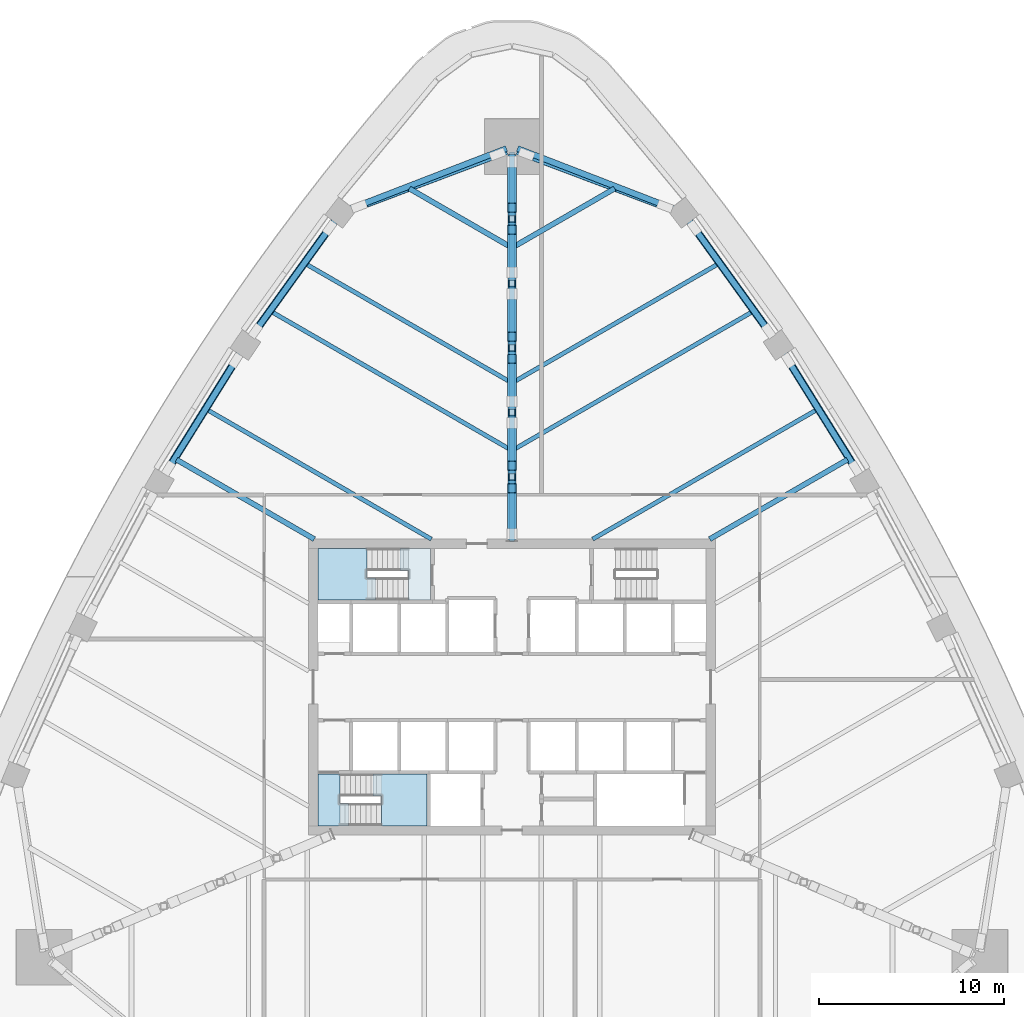
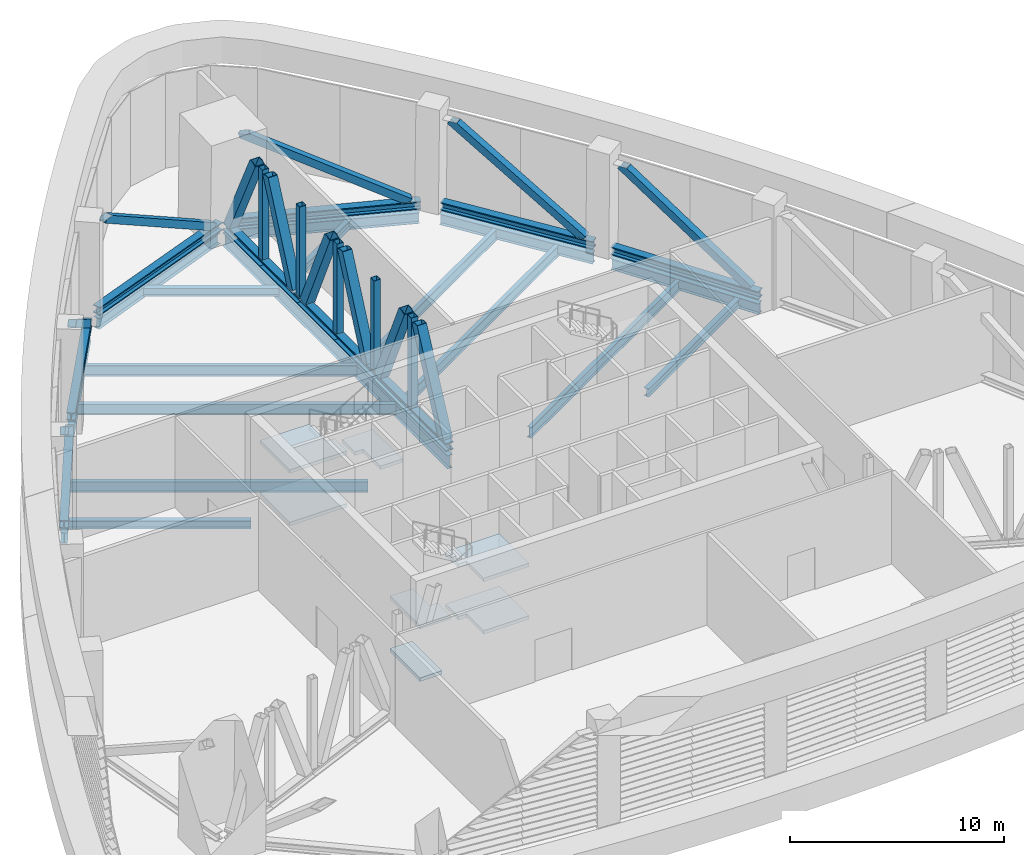
# One storey, part 4 of 18: 29 beams, 17 members, 7 slabs, 2 elements without a shape of their own.
"""IFC4 building model written with IfcOpenShell, lengths in metres."""

from ifc_helpers import new_model, si_unit, direction, frame, origin, origin_2d, place, context, subcontext, project, spatial, polyline, hollow_rectangle, i_section, outline, extrude, clip, halfspace, material, layer, layer_set, material_profile, profile_set, type_object, element, aggregate, save


model = new_model("IFC4")

# Units and contexts
model_context = context("Model", 3, precision=1e-05, world=origin(), true_north=direction((0.0, 1.0)))
body_context = subcontext(model_context, "Body", "Model", "MODEL_VIEW")
ifc_project = project(units=[si_unit("LENGTHUNIT", "METRE"), si_unit("AREAUNIT", "SQUARE_METRE"), si_unit("VOLUMEUNIT", "CUBIC_METRE"), si_unit("PLANEANGLEUNIT", "RADIAN"), si_unit("MASSUNIT", "GRAM", prefix="KILO")], contexts=[model_context])

# Site, building, storey
site_placement = place(None, origin())
site = spatial("IfcSite", under=ifc_project, at=site_placement, CompositionType="ELEMENT")
building_placement = place(site_placement, origin())
building = spatial("IfcBuilding", under=site, at=building_placement, Name="Sierra Prisma Convention Tower", CompositionType="ELEMENT")
storey_placement = place(building_placement, frame((0.0, 0.0, 112.60009765625)))
storey = spatial("IfcBuildingStorey", under=building, at=storey_placement, Name="L24", CompositionType="ELEMENT", Elevation=112.60009765625)

# Beams
ifc_material_1 = material(Name="Steel ASTM A992 Gr 50", Category="steel")
ifc_material_profile_1 = material_profile(ifc_material_1, i_section(OverallWidth=0.280029296875, OverallDepth=0.462890625, WebThickness=0.0107421875, FlangeThickness=0.017333984375, at=origin_2d()), Name="W460x113")
ifc_profile_set_1 = profile_set([ifc_material_profile_1], Name="Steel ASTM A992 Gr 50")
beam_type_1 = type_object("IfcBeamType", Name="Plant floor joist W460x113", PredefinedType="JOIST", material=ifc_profile_set_1)
beam_1_placement = place(storey_placement, frame((18.1416015625, 12.301513671875, -0.481689453125), z_axis=(-0.866025381234, -0.500000039059, 0.0), x_axis=(0.500000039059, -0.866025381234, 0.0)))
element("IfcBeam", 1, at=beam_1_placement, inside=storey, type_object=beam_type_1, Name="Floor joist L24 NE09", PredefinedType="JOIST", context=body_context, shape_type="SweptSolid", body=[
    extrude(i_section(OverallWidth=0.280029296875, OverallDepth=0.462890625, WebThickness=0.0107421875, FlangeThickness=0.017333984375, at=origin_2d()), origin(), (0.0, 0.0, 1.0), 8.60302734375),
])
for number, where, z_axis, x_axis, name in (
    (2, (5.55126953125, 26.961181640625, -0.481689453125), (-0.866017168305, -0.500014263997, 0.0), (0.500014263997, -0.866017168305, 0.0), "Floor joist L24 NE15"),
    (3, (-5.55126953125, 26.961181640625, -0.481689453125), (0.866017168305, -0.500014263997, 0.0), (0.500014263997, 0.866017168305, 0.0), "Floor joist L24 NW02"),
):
    element("IfcBeam", number, at=place(storey_placement, frame(where, z_axis=z_axis, x_axis=x_axis)), inside=storey, type_object=beam_type_1, Name=name, PredefinedType="JOIST", context=body_context, shape_type="SweptSolid", body=[
        extrude(i_section(OverallWidth=0.280029296875, OverallDepth=0.462890625, WebThickness=0.0107421875, FlangeThickness=0.017333984375, at=origin_2d()), origin(), (0.0, 0.0, 1.0), 6.348876953125),
    ])
beam_2_placement = place(storey_placement, frame((-18.1416015625, 12.301513671875, -0.481689453125), z_axis=(0.866025381234, -0.500000039059, 0.0), x_axis=(0.500000039059, 0.866025381234, 0.0)))
element("IfcBeam", 4, at=beam_2_placement, inside=storey, type_object=beam_type_1, Name="Floor joist L24 NW08", PredefinedType="JOIST", context=body_context, shape_type="SweptSolid", body=[
    extrude(i_section(OverallWidth=0.280029296875, OverallDepth=0.462890625, WebThickness=0.0107421875, FlangeThickness=0.017333984375, at=origin_2d()), origin(), (0.0, 0.0, 1.0), 8.60302734375),
])
ifc_material_2 = material(Name="Steel ASTM A992 Gr 50", Category="steel")
ifc_material_profile_2 = material_profile(ifc_material_2, i_section(OverallWidth=0.22900390625, OverallDepth=0.612060546875, WebThickness=0.011962890625, FlangeThickness=0.01953125, at=origin_2d()), Name="W610x125")
ifc_profile_set_2 = profile_set([ifc_material_profile_2], Name="Steel ASTM A992 Gr 50")
beam_type_2 = type_object("IfcBeamType", Name="Plant floor joist W610x125", PredefinedType="JOIST", material=ifc_profile_set_2)
beam_3_placement = place(storey_placement, frame((16.467529296875, 14.98974609375, -0.55615234375), z_axis=(-0.866022720283, -0.500004647933, 0.0), x_axis=(0.500004647933, -0.866022720283, 0.0)))
element("IfcBeam", 5, at=beam_3_placement, inside=storey, type_object=beam_type_2, Name="Floor joist L24 NE10", PredefinedType="JOIST", context=body_context, shape_type="SweptSolid", body=[
    extrude(i_section(OverallWidth=0.22900390625, OverallDepth=0.612060546875, WebThickness=0.011962890625, FlangeThickness=0.01953125, at=origin_2d()), origin(), (0.0, 0.0, 1.0), 13.979248046875),
])
beam_4_placement = place(storey_placement, frame((12.9873046875, 20.289794921875, -0.55615234375), z_axis=(-0.866028517593, -0.499994606686, 0.0), x_axis=(0.499994606686, -0.866028517593, 0.0)))
element("IfcBeam", 6, at=beam_4_placement, inside=storey, type_object=beam_type_2, Name="Floor joist L24 NE12", PredefinedType="JOIST", context=body_context, shape_type="SweptSolid", body=[
    extrude(i_section(OverallWidth=0.22900390625, OverallDepth=0.612060546875, WebThickness=0.011962890625, FlangeThickness=0.01953125, at=origin_2d()), origin(), (0.0, 0.0, 1.0), 14.935302734375),
])
for number, where, z_axis, x_axis, name in (
    (7, (11.129150390625, 22.8720703125, -0.55615234375), (-0.86601901445, -0.500011066489, 0.0), (0.500011066489, -0.86601901445, 0.0), "Floor joist L24 NE13"),
    (8, (-11.129150390625, 22.8720703125, -0.55615234375), (0.86601901445, -0.500011066489, 0.0), (0.500011066489, 0.86601901445, 0.0), "Floor joist L24 NW04"),
):
    element("IfcBeam", number, at=place(storey_placement, frame(where, z_axis=z_axis, x_axis=x_axis)), inside=storey, type_object=beam_type_2, Name=name, PredefinedType="JOIST", context=body_context, shape_type="SweptSolid", body=[
        extrude(i_section(OverallWidth=0.22900390625, OverallDepth=0.612060546875, WebThickness=0.011962890625, FlangeThickness=0.01953125, at=origin_2d()), origin(), (0.0, 0.0, 1.0), 12.789794921875),
    ])
beam_5_placement = place(storey_placement, frame((-12.9873046875, 20.289794921875, -0.55615234375), z_axis=(0.866028517593, -0.499994606686, 0.0), x_axis=(0.499994606686, 0.866028517593, 0.0)))
element("IfcBeam", 9, at=beam_5_placement, inside=storey, type_object=beam_type_2, Name="Floor joist L24 NW05", PredefinedType="JOIST", context=body_context, shape_type="SweptSolid", body=[
    extrude(i_section(OverallWidth=0.22900390625, OverallDepth=0.612060546875, WebThickness=0.011962890625, FlangeThickness=0.01953125, at=origin_2d()), origin(), (0.0, 0.0, 1.0), 14.935302734375),
])
beam_6_placement = place(storey_placement, frame((-16.467529296875, 14.98974609375, -0.55615234375), z_axis=(0.866022720283, -0.500004647933, 0.0), x_axis=(0.500004647933, 0.866022720283, 0.0)))
element("IfcBeam", 10, at=beam_6_placement, inside=storey, type_object=beam_type_2, Name="Floor joist L24 NW07", PredefinedType="JOIST", context=body_context, shape_type="SweptSolid", body=[
    extrude(i_section(OverallWidth=0.22900390625, OverallDepth=0.612060546875, WebThickness=0.011962890625, FlangeThickness=0.01953125, at=origin_2d()), origin(), (0.0, 0.0, 1.0), 13.979248046875),
])
ifc_material_3 = material(Name="Steel ASTM A992 Gr 50", Category="steel")
ifc_material_profile_3 = material_profile(ifc_material_3, i_section(OverallWidth=0.264892578125, OverallDepth=0.7529296875, WebThickness=0.01318359375, FlangeThickness=0.01708984375, at=origin_2d()), Name="W760x147")
ifc_profile_set_3 = profile_set([ifc_material_profile_3], Name="Steel ASTM A992 Gr 50")
beam_type_3 = type_object("IfcBeamType", Name="Radial girder W760x147", PredefinedType="BEAM", material=ifc_profile_set_3)
beam_7_placement = place(storey_placement, frame((0.0, 28.938232421875, -0.626708984375), z_axis=(0.0, -1.0, 0.0), x_axis=(1.0, 0.0, 0.0)))
element("IfcBeam", 11, at=beam_7_placement, inside=storey, type_object=beam_type_3, Name="Radial girder L24 N", PredefinedType="BEAM", context=body_context, shape_type="SweptSolid", body=[
    extrude(i_section(OverallWidth=0.264892578125, OverallDepth=0.7529296875, WebThickness=0.01318359375, FlangeThickness=0.01708984375, at=origin_2d()), origin(), (0.0, 0.0, 1.0), 21.058349609375),
])
ifc_material_4 = material(Name="Steel ASTM A992 Gr 50", Category="steel")
ifc_material_profile_4 = material_profile(ifc_material_4, i_section(OverallWidth=0.324951171875, OverallDepth=0.615966796875, WebThickness=0.013916015625, FlangeThickness=0.021484375, at=origin_2d()), Name="W610x174")
ifc_profile_set_4 = profile_set([ifc_material_profile_4], Name="Steel ASTM A992 Gr 50")
beam_type_4 = type_object("IfcBeamType", Name="Spandrel beam W610x174", PredefinedType="BEAM", material=ifc_profile_set_4)
for number, where, z_axis, x_axis, name in (
    (12, (18.822265625, 11.42138671875, -0.55810546875), (-0.52864123351, 0.848845360612, 0.0), (-0.848845360612, -0.52864123351, 0.0), "Spandrel L24-10"),
    (13, (14.133056640625, 18.890380859375, -0.55810546875), (-0.584052655926, 0.811715772365, 0.0), (-0.811715772365, -0.584052655926, 0.0), "Spandrel L24-11"),
):
    element("IfcBeam", number, at=place(storey_placement, frame(where, z_axis=z_axis, x_axis=x_axis)), inside=storey, type_object=beam_type_4, Name=name, PredefinedType="BEAM", context=body_context, shape_type="SweptSolid", body=[
        extrude(i_section(OverallWidth=0.324951171875, OverallDepth=0.615966796875, WebThickness=0.013916015625, FlangeThickness=0.021484375, at=origin_2d()), origin(), (0.0, 0.0, 1.0), 7.859375),
    ])
for number, where, z_axis, x_axis, name in (
    (14, (8.719482421875, 25.86962890625, -0.55810546875), (-0.932808467311, 0.360372534071, 0.0), (-0.360372534071, -0.932808467311, 0.0), "Spandrel L24-12"),
    (15, (-0.300048828125, 29.122314453125, -0.55810546875), (-0.932808467311, -0.360372534071, 0.0), (0.360372534071, -0.932808467311, 0.0), "Spandrel L24-13"),
):
    element("IfcBeam", number, at=place(storey_placement, frame(where, z_axis=z_axis, x_axis=x_axis)), inside=storey, type_object=beam_type_4, Name=name, PredefinedType="BEAM", context=body_context, shape_type="SweptSolid", body=[
        extrude(i_section(OverallWidth=0.324951171875, OverallDepth=0.615966796875, WebThickness=0.013916015625, FlangeThickness=0.021484375, at=origin_2d()), origin(), (0.0, 0.0, 1.0), 9.02587890625),
    ])
for number, where, z_axis, x_axis, name in (
    (16, (-9.542724609375, 25.27001953125, -0.55810546875), (-0.584052655926, -0.811715772365, 0.0), (0.811715772365, -0.584052655926, 0.0), "Spandrel L24-14"),
    (17, (-14.66748046875, 18.0927734375, -0.55810546875), (-0.52864123351, -0.848845360612, 0.0), (0.848845360612, -0.52864123351, 0.0), "Spandrel L24-15"),
):
    element("IfcBeam", number, at=place(storey_placement, frame(where, z_axis=z_axis, x_axis=x_axis)), inside=storey, type_object=beam_type_4, Name=name, PredefinedType="BEAM", context=body_context, shape_type="SweptSolid", body=[
        extrude(i_section(OverallWidth=0.324951171875, OverallDepth=0.615966796875, WebThickness=0.013916015625, FlangeThickness=0.021484375, at=origin_2d()), origin(), (0.0, 0.0, 1.0), 7.859375),
    ])
ifc_material_5 = material(Name="Steel ASTM A992 Gr 50", Category="steel")
ifc_material_profile_5 = material_profile(ifc_material_5, i_section(OverallWidth=0.41796875, OverallDepth=0.4580078125, WebThickness=0.036376953125, FlangeThickness=0.05859375, at=origin_2d()), Name="W360x463")
ifc_profile_set_5 = profile_set([ifc_material_profile_5], Name="Steel ASTM A992 Gr 50")
beam_type_5 = type_object("IfcBeamType", Name="Truss chord W360x463", PredefinedType="BEAM", material=ifc_profile_set_5)
beam_8_placement = place(storey_placement, frame((18.825927734375, 11.42333984375, 0.22900390625), z_axis=(-0.528644115312, 0.848843565886, 0.0), x_axis=(-0.848843565886, -0.528644115312, 0.0)))
element("IfcBeam", 18, at=beam_8_placement, inside=storey, type_object=beam_type_5, Name="Belt truss L24-10 bottom chord 1", PredefinedType="BEAM", context=body_context, shape_type="SweptSolid", body=[
    extrude(i_section(OverallWidth=0.41796875, OverallDepth=0.4580078125, WebThickness=0.036376953125, FlangeThickness=0.05859375, at=origin_2d()), origin(), (0.0, 0.0, 1.0), 7.827392578125),
])
beam_9_placement = place(storey_placement, frame((14.153564453125, 18.865234375, 0.22900390625), z_axis=(-0.584123116899, 0.811665069042, 0.0), x_axis=(-0.811665069042, -0.584123116899, 0.0)))
element("IfcBeam", 19, at=beam_9_placement, inside=storey, type_object=beam_type_5, Name="Belt truss L24-11 bottom chord 1", PredefinedType="BEAM", context=body_context, shape_type="SweptSolid", body=[
    extrude(i_section(OverallWidth=0.41796875, OverallDepth=0.4580078125, WebThickness=0.036376953125, FlangeThickness=0.05859375, at=origin_2d()), origin(), (0.0, 0.0, 1.0), 7.8271484375),
])
for number, where, z_axis, x_axis, name in (
    (20, (8.7529296875, 25.814208984375, 0.22900390625), (-0.935916392655, 0.352222239445, 0.0), (-0.352222239445, -0.935916392655, 0.0), "Belt truss L24-12 bottom chord 1"),
    (21, (-0.300048828125, 28.995361328125, 0.22900390625), (-0.935916392655, -0.352222239445, 0.0), (0.352222239445, -0.935916392655, 0.0), "Belt truss L24-13 bottom chord 1"),
):
    element("IfcBeam", number, at=place(storey_placement, frame(where, z_axis=z_axis, x_axis=x_axis)), inside=storey, type_object=beam_type_5, Name=name, PredefinedType="BEAM", context=body_context, shape_type="SweptSolid", body=[
        extrude(i_section(OverallWidth=0.41796875, OverallDepth=0.4580078125, WebThickness=0.036376953125, FlangeThickness=0.05859375, at=origin_2d()), origin(), (0.0, 0.0, 1.0), 9.03173828125),
    ])
beam_10_placement = place(storey_placement, frame((-9.58154296875, 25.21826171875, 0.22900390625), z_axis=(-0.584123116899, -0.811665069042, 0.0), x_axis=(0.811665069042, -0.584123116899, 0.0)))
element("IfcBeam", 22, at=beam_10_placement, inside=storey, type_object=beam_type_5, Name="Belt truss L24-14 bottom chord 1", PredefinedType="BEAM", context=body_context, shape_type="SweptSolid", body=[
    extrude(i_section(OverallWidth=0.41796875, OverallDepth=0.4580078125, WebThickness=0.036376953125, FlangeThickness=0.05859375, at=origin_2d()), origin(), (0.0, 0.0, 1.0), 7.8271484375),
])
beam_11_placement = place(storey_placement, frame((-14.68798828125, 18.067626953125, 0.22900390625), z_axis=(-0.528644115312, -0.848843565886, 0.0), x_axis=(0.848843565886, -0.528644115312, 0.0)))
element("IfcBeam", 23, at=beam_11_placement, inside=storey, type_object=beam_type_5, Name="Belt truss L24-15 bottom chord 1", PredefinedType="BEAM", context=body_context, shape_type="SweptSolid", body=[
    extrude(i_section(OverallWidth=0.41796875, OverallDepth=0.4580078125, WebThickness=0.036376953125, FlangeThickness=0.05859375, at=origin_2d()), origin(), (0.0, 0.0, 1.0), 7.827392578125),
])
for number, where, z_axis, x_axis, name in (
    (24, (0.0, 28.80810546875, 0.22900390625), (0.0, -1.0, 0.0), (1.0, 0.0, 0.0), "Outrigger truss L24 N bottom chord 1"),
    (25, (0.0, 25.320068359375, 0.22900390625), (0.0, -1.0, 0.0), (1.0, 0.0, 0.0), "Outrigger truss L24 N bottom chord 2"),
    (26, (0.0, 21.83203125, 0.22900390625), (0.0, -1.0, 0.0), (1.0, 0.0, 0.0), "Outrigger truss L24 N bottom chord 3"),
):
    element("IfcBeam", number, at=place(storey_placement, frame(where, z_axis=z_axis, x_axis=x_axis)), inside=storey, type_object=beam_type_5, Name=name, PredefinedType="BEAM", context=body_context, shape_type="SweptSolid", body=[
        extrude(i_section(OverallWidth=0.41796875, OverallDepth=0.4580078125, WebThickness=0.036376953125, FlangeThickness=0.05859375, at=origin_2d()), origin(), (0.0, 0.0, 1.0), 3.488037109375),
    ])
beam_12_placement = place(storey_placement, frame((0.0, 18.343994140625, 0.22900390625), z_axis=(0.0, -1.0, 0.0), x_axis=(1.0, 0.0, 0.0)))
element("IfcBeam", 27, at=beam_12_placement, inside=storey, type_object=beam_type_5, Name="Outrigger truss L24 N bottom chord 4", PredefinedType="BEAM", context=body_context, shape_type="SweptSolid", body=[
    extrude(i_section(OverallWidth=0.41796875, OverallDepth=0.4580078125, WebThickness=0.036376953125, FlangeThickness=0.05859375, at=origin_2d()), origin(), (0.0, 0.0, 1.0), 3.48779296875),
])
beam_13_placement = place(storey_placement, frame((0.0, 14.856201171875, 0.22900390625), z_axis=(0.0, -1.0, 0.0), x_axis=(1.0, 0.0, 0.0)))
element("IfcBeam", 28, at=beam_13_placement, inside=storey, type_object=beam_type_5, Name="Outrigger truss L24 N bottom chord 5", PredefinedType="BEAM", context=body_context, shape_type="SweptSolid", body=[
    extrude(i_section(OverallWidth=0.41796875, OverallDepth=0.4580078125, WebThickness=0.036376953125, FlangeThickness=0.05859375, at=origin_2d()), origin(), (0.0, 0.0, 1.0), 3.48828125),
])
beam_14_placement = place(storey_placement, frame((0.0, 11.367919921875, 0.22900390625), z_axis=(0.0, -1.0, 0.0), x_axis=(1.0, 0.0, 0.0)))
element("IfcBeam", 29, at=beam_14_placement, inside=storey, type_object=beam_type_5, Name="Outrigger truss L24 N bottom chord 6", PredefinedType="BEAM", context=body_context, shape_type="SweptSolid", body=[
    extrude(i_section(OverallWidth=0.41796875, OverallDepth=0.4580078125, WebThickness=0.036376953125, FlangeThickness=0.05859375, at=origin_2d()), origin(), (0.0, 0.0, 1.0), 3.472900390625),
])

# Members
ifc_material_6 = material(Name="Steel ASTM A500 Gr C", Category="steel")
ifc_material_profile_6 = material_profile(ifc_material_6, hollow_rectangle(XDim=0.406005859375, YDim=0.406005859375, WallThickness=0.01904296875, at=origin_2d()), Name="Truss diagonal HSS 406x406x19")
ifc_profile_set_6 = profile_set([ifc_material_profile_6], Name="Steel ASTM A500 Gr C")
member_type_1 = type_object("IfcMemberType", Name="Truss diagonal HSS 406x406x19", PredefinedType="BRACE", material=ifc_profile_set_6)
member_1_placement = place(storey_placement, frame((18.57421875, 11.827392578125, 0.4580078125), z_axis=(-0.434152233554, 0.697174937553, 0.570490091542), x_axis=(-0.848862938323, -0.528613007731, 0.0)))
element("IfcMember", 30, at=member_1_placement, inside=storey, type_object=member_type_1, Name="Belt truss L24-10 diagonal 1", PredefinedType="BRACE", context=body_context, shape_type="SweptSolid", body=[
    clip(clip(extrude(hollow_rectangle(XDim=0.406005859375, YDim=0.406005859375, WallThickness=0.01904296875, at=origin_2d()), origin(), (0.0, 0.0, 1.0), 8.37158203125), halfspace(frame((0.0, 0.01220703125, 0.008544921875), z_axis=(0.0, 0.821303190667, 0.570491953494), x_axis=(1.0, 0.0, 0.0)), True)), halfspace(frame((0.000244140625, -0.01220703125, 8.363037109375), z_axis=(0.0, -0.821304484008, -0.570490091542), x_axis=(1.0, 0.0, 0.0)), True)),
])
member_2_placement = place(storey_placement, frame((13.87548828125, 19.25146484375, 0.4580078125), z_axis=(-0.479740185261, 0.666620130985, 0.57049711271), x_axis=(-0.811664982349, -0.584123237363, 0.0)))
element("IfcMember", 31, at=member_2_placement, inside=storey, type_object=member_type_1, Name="Belt truss L24-11 diagonal 1", PredefinedType="BRACE", context=body_context, shape_type="SweptSolid", body=[
    clip(clip(extrude(hollow_rectangle(XDim=0.406005859375, YDim=0.406005859375, WallThickness=0.01904296875, at=origin_2d()), origin(), (0.0, 0.0, 1.0), 8.371337890625), halfspace(frame((0.0, 0.01220703125, 0.008544921875), z_axis=(0.0, 0.821299606958, 0.57049711271), x_axis=(1.0, 0.0, 0.0)), True)), halfspace(frame((0.0, -0.01220703125, 8.363037109375), z_axis=(0.0, -0.821299606958, -0.57049711271), x_axis=(1.0, 0.0, 0.0)), True)),
])
for number, where, z_axis, x_axis, name in (
    (32, (8.27001953125, 25.99609375, 0.4580078125), (-0.803608692729, 0.302398158088, 0.512609425348), (-0.352190127064, -0.935928477181, 0.0), "Belt truss L24-12 diagonal 1"),
    (33, (-0.782958984375, 28.8134765625, 0.4580078125), (-0.803608692729, -0.302398158088, 0.512609425348), (0.352190127064, -0.935928477181, 0.0), "Belt truss L24-13 diagonal 1"),
):
    element("IfcMember", number, at=place(storey_placement, frame(where, z_axis=z_axis, x_axis=x_axis)), inside=storey, type_object=member_type_1, Name=name, PredefinedType="BRACE", context=body_context, shape_type="SweptSolid", body=[
        clip(clip(extrude(hollow_rectangle(XDim=0.406005859375, YDim=0.406005859375, WallThickness=0.01904296875, at=origin_2d()), origin(), (0.0, 0.0, 1.0), 9.31689453125), halfspace(frame((0.0, 0.0126953125, 0.007568359375), z_axis=(0.0, 0.858621905756, 0.512609425348), x_axis=(1.0, 0.0, 0.0)), True)), halfspace(frame((0.0, -0.0126953125, 9.30908203125), z_axis=(0.0, -0.858621905756, -0.512609425348), x_axis=(1.0, 0.0, 0.0)), True)),
    ])
member_3_placement = place(storey_placement, frame((-9.859375, 24.83203125, 0.4580078125), z_axis=(-0.479740185261, -0.666620130985, 0.57049711271), x_axis=(0.811664982349, -0.584123237363, 0.0)))
element("IfcMember", 34, at=member_3_placement, inside=storey, type_object=member_type_1, Name="Belt truss L24-14 diagonal 1", PredefinedType="BRACE", context=body_context, shape_type="SweptSolid", body=[
    clip(clip(extrude(hollow_rectangle(XDim=0.406005859375, YDim=0.406005859375, WallThickness=0.01904296875, at=origin_2d()), origin(), (0.0, 0.0, 1.0), 8.371337890625), halfspace(frame((0.0, 0.01220703125, 0.008544921875), z_axis=(0.0, 0.821299606958, 0.57049711271), x_axis=(1.0, 0.0, 0.0)), True)), halfspace(frame((0.0, -0.01220703125, 8.363037109375), z_axis=(0.0, -0.821299606958, -0.57049711271), x_axis=(1.0, 0.0, 0.0)), True)),
])
member_4_placement = place(storey_placement, frame((-14.939697265625, 17.663818359375, 0.4580078125), z_axis=(-0.434152233554, -0.697174937553, 0.570490091542), x_axis=(0.848862938323, -0.528613007731, 0.0)))
element("IfcMember", 35, at=member_4_placement, inside=storey, type_object=member_type_1, Name="Belt truss L24-15 diagonal 1", PredefinedType="BRACE", context=body_context, shape_type="SweptSolid", body=[
    clip(clip(extrude(hollow_rectangle(XDim=0.406005859375, YDim=0.406005859375, WallThickness=0.01904296875, at=origin_2d()), origin(), (0.0, 0.0, 1.0), 8.37158203125), halfspace(frame((0.000244140625, 0.01220703125, 0.008544921875), z_axis=(0.0, 0.821304484008, 0.570490091542), x_axis=(1.0, 0.0, 0.0)), True)), halfspace(frame((0.0, -0.01220703125, 8.363037109375), z_axis=(0.0, -0.821304484008, -0.570490091542), x_axis=(1.0, 0.0, 0.0)), True)),
])
ifc_material_7 = material(Name="Steel ASTM A572 Gr 50", Category="steel")
ifc_material_profile_7 = material_profile(ifc_material_7, hollow_rectangle(XDim=0.508056640625, YDim=0.508056640625, WallThickness=0.025390625, at=origin_2d()), Name="Truss diagonal HSS 508x508x25")
ifc_profile_set_7 = profile_set([ifc_material_profile_7], Name="Steel ASTM A572 Gr 50")
member_type_2 = type_object("IfcMemberType", Name="Truss diagonal HSS 508x508x25", PredefinedType="BRACE", material=ifc_profile_set_7)
member_5_placement = place(storey_placement, frame((0.0, 28.406005859375, 0.4580078125), z_axis=(0.0, -0.436397652358, 0.899753904696), x_axis=(1.0, 0.0, 0.0)))
element("IfcMember", 36, at=member_5_placement, inside=storey, type_object=member_type_2, Name="Outrigger truss L24 N diagonal 1", PredefinedType="BRACE", context=body_context, shape_type="SweptSolid", body=[
    clip(clip(extrude(hollow_rectangle(XDim=0.508056640625, YDim=0.508056640625, WallThickness=0.025390625, at=origin_2d()), origin(), (0.0, 0.0, 1.0), 5.74169921875), halfspace(frame((0.0, 0.00634765625, 0.013427734375), z_axis=(0.0, 0.436397652358, 0.899753904696), x_axis=(1.0, 0.0, 0.0)), True)), halfspace(frame((0.0, 0.0, 5.74169921875), z_axis=(0.0, -0.436397652358, -0.899753904696), x_axis=(1.0, 0.0, 0.0)), True)),
])
member_6_placement = place(storey_placement, frame((0.0, 24.743408203125, 5.6240234375), z_axis=(0.0, -0.411832480578, -0.911259572208), x_axis=(1.0, 0.0, 0.0)))
element("IfcMember", 37, at=member_6_placement, inside=storey, type_object=member_type_2, Name="Outrigger truss L24 N diagonal 2", PredefinedType="BRACE", context=body_context, shape_type="SweptSolid", body=[
    clip(clip(extrude(hollow_rectangle(XDim=0.508056640625, YDim=0.508056640625, WallThickness=0.025390625, at=origin_2d()), origin(), (0.0, 0.0, 1.0), 5.669189453125), halfspace(frame((0.0, 0.0, 0.0), z_axis=(0.0, -0.411832480578, 0.911259572208), x_axis=(1.0, 0.0, 0.0)), True)), halfspace(frame((0.0, 0.005859375, 5.655517578125), z_axis=(0.0, 0.411832480578, -0.911259572208), x_axis=(1.0, 0.0, 0.0)), True)),
])
member_7_placement = place(storey_placement, frame((0.0, 21.25537109375, 0.4580078125), z_axis=(0.0, -0.411796718545, 0.911275733571), x_axis=(1.0, 0.0, 0.0)))
element("IfcMember", 38, at=member_7_placement, inside=storey, type_object=member_type_2, Name="Outrigger truss L24 N diagonal 3", PredefinedType="BRACE", context=body_context, shape_type="SweptSolid", body=[
    clip(clip(extrude(hollow_rectangle(XDim=0.508056640625, YDim=0.508056640625, WallThickness=0.025390625, at=origin_2d()), origin(), (0.0, 0.0, 1.0), 5.6689453125), halfspace(frame((0.0, 0.006103515625, 0.013671875), z_axis=(0.0, 0.411796718545, 0.911275733571), x_axis=(1.0, 0.0, 0.0)), True)), halfspace(frame((0.0, 0.0, 5.6689453125), z_axis=(0.0, -0.411796718545, -0.911275733571), x_axis=(1.0, 0.0, 0.0)), True)),
])
member_8_placement = place(storey_placement, frame((0.0, 17.767333984375, 5.6240234375), z_axis=(0.0, -0.411796718545, -0.911275733571), x_axis=(1.0, 0.0, 0.0)))
element("IfcMember", 39, at=member_8_placement, inside=storey, type_object=member_type_2, Name="Outrigger truss L24 N diagonal 4", PredefinedType="BRACE", context=body_context, shape_type="SweptSolid", body=[
    clip(clip(extrude(hollow_rectangle(XDim=0.508056640625, YDim=0.508056640625, WallThickness=0.025390625, at=origin_2d()), origin(), (0.0, 0.0, 1.0), 5.6689453125), halfspace(frame((0.0, 0.0, 0.0), z_axis=(0.0, -0.411796718545, 0.911275733571), x_axis=(1.0, 0.0, 0.0)), True)), halfspace(frame((0.0, 0.006103515625, 5.655517578125), z_axis=(0.0, 0.411796718545, -0.911275733571), x_axis=(1.0, 0.0, 0.0)), True)),
])
member_9_placement = place(storey_placement, frame((0.0, 14.279296875, 0.4580078125), z_axis=(0.0, -0.411796718545, 0.911275733571), x_axis=(1.0, 0.0, 0.0)))
element("IfcMember", 40, at=member_9_placement, inside=storey, type_object=member_type_2, Name="Outrigger truss L24 N diagonal 5", PredefinedType="BRACE", context=body_context, shape_type="SweptSolid", body=[
    clip(clip(extrude(hollow_rectangle(XDim=0.508056640625, YDim=0.508056640625, WallThickness=0.025390625, at=origin_2d()), origin(), (0.0, 0.0, 1.0), 5.6689453125), halfspace(frame((0.0, 0.006103515625, 0.013671875), z_axis=(0.0, 0.411796718545, 0.911275733571), x_axis=(1.0, 0.0, 0.0)), True)), halfspace(frame((0.0, 0.0, 5.6689453125), z_axis=(0.0, -0.411796718545, -0.911275733571), x_axis=(1.0, 0.0, 0.0)), True)),
])
member_10_placement = place(storey_placement, frame((0.0, 10.78759765625, 5.6240234375), z_axis=(0.0, -0.436363227858, -0.899770600416), x_axis=(1.0, 0.0, 0.0)))
element("IfcMember", 41, at=member_10_placement, inside=storey, type_object=member_type_2, Name="Outrigger truss L24 N diagonal 6", PredefinedType="BRACE", context=body_context, shape_type="SweptSolid", body=[
    clip(clip(extrude(hollow_rectangle(XDim=0.508056640625, YDim=0.508056640625, WallThickness=0.025390625, at=origin_2d()), origin(), (0.0, 0.0, 1.0), 5.741455078125), halfspace(frame((0.0, 0.0, 0.0), z_axis=(0.0, -0.436363227858, 0.899770600416), x_axis=(1.0, 0.0, 0.0)), True)), halfspace(frame((0.0, 0.006591796875, 5.72802734375), z_axis=(0.0, 0.436363227858, -0.899770600416), x_axis=(1.0, 0.0, 0.0)), True)),
])
ifc_material_8 = material(Name="Steel ASTM A500 Gr C", Category="steel")
ifc_material_profile_8 = material_profile(ifc_material_8, hollow_rectangle(XDim=0.35595703125, YDim=0.35595703125, WallThickness=0.015869140625, at=origin_2d()), Name="Truss post HSS 356x356x16")
ifc_profile_set_8 = profile_set([ifc_material_profile_8], Name="Steel ASTM A500 Gr C")
member_type_3 = type_object("IfcMemberType", Name="Truss post HSS 356x356x16", PredefinedType="POST", material=ifc_profile_set_8)
for number, where, z_axis, x_axis, name in (
    (42, (0.0, 25.320068359375, 0.472900390625), (0.0, 0.0, 1.0), (1.0, 0.0, 0.0), "Outrigger truss L24 N post 1"),
    (43, (0.0, 21.83203125, 0.472900390625), (0.0, 0.0, 1.0), (1.0, 0.0, 0.0), "Outrigger truss L24 N post 2"),
    (44, (0.0, 18.343994140625, 0.472900390625), (0.0, 0.0, 1.0), (1.0, 0.0, 0.0), "Outrigger truss L24 N post 3"),
    (45, (0.0, 14.856201171875, 0.472900390625), (0.0, 0.0, 1.0), (1.0, 0.0, 0.0), "Outrigger truss L24 N post 4"),
    (46, (0.0, 11.367919921875, 0.472900390625), (0.0, 0.0, 1.0), (1.0, 0.0, 0.0), "Outrigger truss L24 N post 5"),
):
    element("IfcMember", number, at=place(storey_placement, frame(where, z_axis=z_axis, x_axis=x_axis)), inside=storey, type_object=member_type_3, Name=name, PredefinedType="POST", context=body_context, shape_type="SweptSolid", body=[
        extrude(hollow_rectangle(XDim=0.35595703125, YDim=0.35595703125, WallThickness=0.015869140625, at=origin_2d()), origin(), (0.0, 0.0, 1.0), 5.151123046875),
    ])

# Stair, slabs
ifc_material_9 = material(Name="Concrete C30/37", Category="concrete")
stair_type = type_object("IfcStairType", Name="Stair dog-leg 1200 RC", PredefinedType="HALF_TURN_STAIR", material=ifc_material_9)
stair_1_placement = place(storey_placement, origin())
stair_1 = element("IfcStair", 47, at=stair_1_placement, inside=storey, type_object=stair_type, Name="L24 S1", PredefinedType="HALF_TURN_STAIR")
ifc_material_10 = material(Name="Concrete C35/45", Category="concrete")
ifc_layer = layer(ifc_material_10, 0.199951171875)
ifc_layer_set = layer_set([ifc_layer], Name="Stair landing slab")
slab_type = type_object("IfcSlabType", Name="Stair landing slab", PredefinedType="LANDING", material=ifc_layer_set)
slab_1_placement = place(storey_placement, frame((0.0, 0.0, 1.2998046875)))
slab_1 = element("IfcSlab", 48, at=slab_1_placement, type_object=slab_type, Name="S1 landing 1", PredefinedType="LANDING", context=body_context, shape_type="SweptSolid", body=[
    extrude(outline(polyline([(-4.60009765625, -4.699951171875), (-4.60009765625, -7.5), (-7.06201171875, -7.5), (-7.06201171875, -5.89990234375), (-7.510009765625, -5.89990234375), (-7.510009765625, -4.699951171875), (-4.60009765625, -4.699951171875)])), origin(), (0.0, 0.0, 1.0), 0.2001953125),
])
slab_2_placement = place(storey_placement, frame((0.0, 0.0, 2.7998046875)))
slab_2 = element("IfcSlab", 49, at=slab_2_placement, type_object=slab_type, Name="S1 landing 2", PredefinedType="LANDING", context=body_context, shape_type="SweptSolid", body=[
    extrude(outline(polyline([(-10.5, -7.5), (-10.5, -4.699951171875), (-9.298095703125, -4.699951171875), (-9.298095703125, -6.300048828125), (-8.85009765625, -6.300048828125), (-8.85009765625, -7.5), (-10.5, -7.5)])), origin(), (0.0, 0.0, 1.0), 0.2001953125),
])
slab_3_placement = place(storey_placement, frame((0.0, 0.0, 4.2998046875)))
slab_3 = element("IfcSlab", 50, at=slab_3_placement, type_object=slab_type, Name="S1 landing 3", PredefinedType="LANDING", context=body_context, shape_type="SweptSolid", body=[
    extrude(outline(polyline([(-4.60009765625, -4.699951171875), (-4.60009765625, -7.5), (-7.06201171875, -7.5), (-7.06201171875, -5.89990234375), (-7.510009765625, -5.89990234375), (-7.510009765625, -4.699951171875), (-4.60009765625, -4.699951171875)])), origin(), (0.0, 0.0, 1.0), 0.2001953125),
])
aggregate(stair_1, [slab_1, slab_2, slab_3])

# Slab
slab_4_placement = place(storey_placement, frame((0.0, 0.0, -0.2001953125)))
element("IfcSlab", 51, at=slab_4_placement, inside=storey, type_object=slab_type, Name="S1 floor landing L24", PredefinedType="LANDING", context=body_context, shape_type="SweptSolid", body=[
    extrude(outline(polyline([(-10.5, -7.5), (-9.298095703125, -7.5), (-9.298095703125, -4.699951171875), (-10.5, -4.699951171875), (-10.5, -7.5)])), origin(), (0.0, 0.0, 1.0), 0.2001953125),
])

# Stair, slabs
stair_2_placement = place(storey_placement, origin())
stair_2 = element("IfcStair", 52, at=stair_2_placement, inside=storey, type_object=stair_type, Name="L24 S3", PredefinedType="HALF_TURN_STAIR")
slab_5_placement = place(storey_placement, frame((0.0, 0.0, 1.2998046875)))
slab_5 = element("IfcSlab", 53, at=slab_5_placement, type_object=slab_type, Name="S3 landing 1", PredefinedType="LANDING", context=body_context, shape_type="SweptSolid", body=[
    extrude(outline(polyline([(-7.389892578125, 5.89990234375), (-7.389892578125, 4.699951171875), (-10.5, 4.699951171875), (-10.5, 7.5), (-7.837890625, 7.5), (-7.837890625, 5.89990234375), (-7.389892578125, 5.89990234375)])), origin(), (0.0, 0.0, 1.0), 0.2001953125),
])
slab_6_placement = place(storey_placement, frame((0.0, 0.0, 2.7998046875)))
slab_6 = element("IfcSlab", 54, at=slab_6_placement, type_object=slab_type, Name="S3 landing 2", PredefinedType="LANDING", context=body_context, shape_type="SweptSolid", body=[
    extrude(outline(polyline([(-4.39990234375, 7.5), (-4.39990234375, 4.699951171875), (-5.60205078125, 4.699951171875), (-5.60205078125, 6.300048828125), (-6.050048828125, 6.300048828125), (-6.050048828125, 7.5), (-4.39990234375, 7.5)])), origin(), (0.0, 0.0, 1.0), 0.2001953125),
])
slab_7_placement = place(storey_placement, frame((0.0, 0.0, 4.2998046875)))
slab_7 = element("IfcSlab", 55, at=slab_7_placement, type_object=slab_type, Name="S3 landing 3", PredefinedType="LANDING", context=body_context, shape_type="SweptSolid", body=[
    extrude(outline(polyline([(-7.389892578125, 5.89990234375), (-7.389892578125, 4.699951171875), (-10.5, 4.699951171875), (-10.5, 7.5), (-7.837890625, 7.5), (-7.837890625, 5.89990234375), (-7.389892578125, 5.89990234375)])), origin(), (0.0, 0.0, 1.0), 0.2001953125),
])
aggregate(stair_2, [slab_5, slab_6, slab_7])

save(model, "model.ifc")
